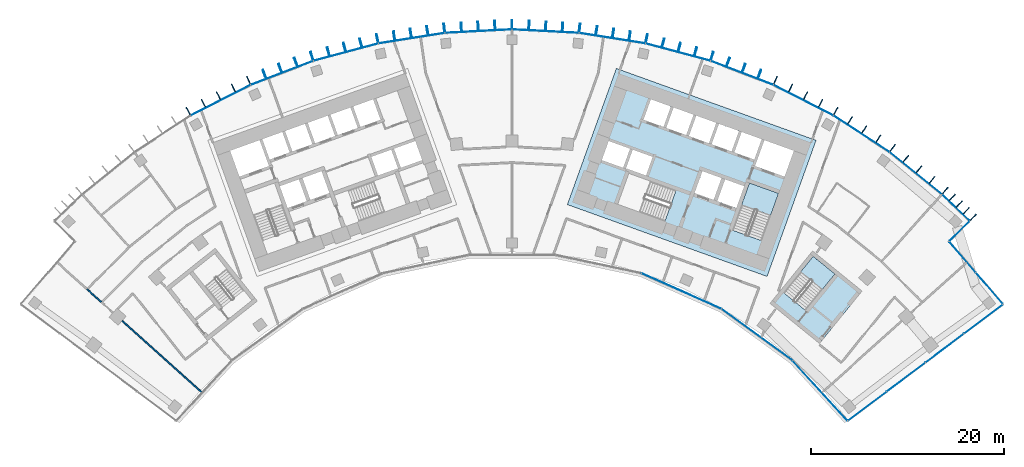
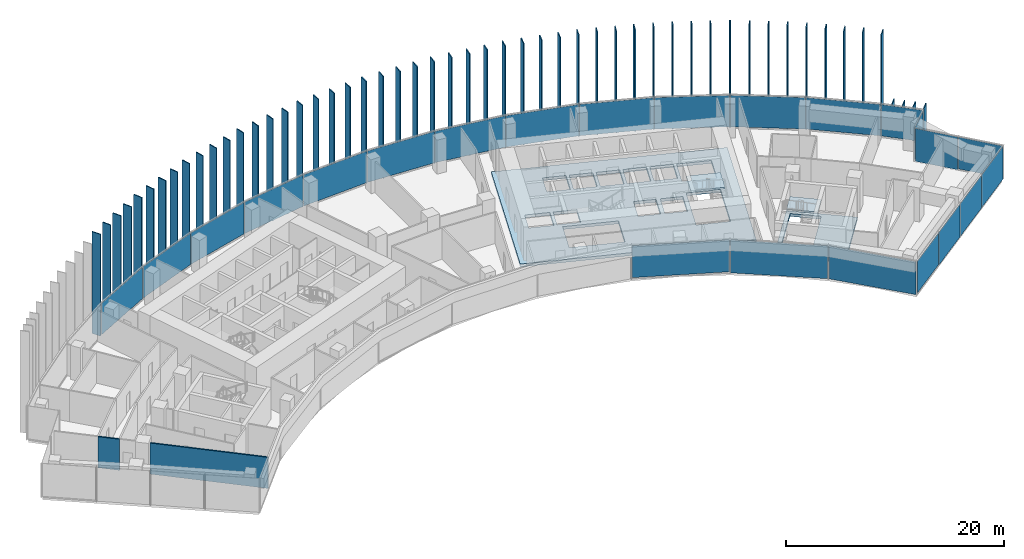
# One storey, part 14 of 22: 76 plates, 4 slabs, 2 walls, 7 elements without a shape of their own.
"""IFC4 building model written with IfcOpenShell, lengths in metres."""

import ifcopenshell
import ifcopenshell.guid

model = None  # the IFC model being written
_history = None  # IfcOwnerHistory: only IFC2X3 demands one
_inside = {}  # id of a spatial element -> (the spatial element, [elements in it])
_under = {}  # id of a project, library or spatial element -> (it, [spatial elements below it])
_declared = {}  # id of a project -> (the project, [libraries it declares])
_typed = {}  # id of a type object -> (the type object, [elements of that type])
_made_of = {}  # id of a material, layer set ... -> (it, [elements and type objects made of it])


def new_model(schema):
    """Start an empty IFC model of exactly this schema.

    Asked for "IFC4X3", IfcOpenShell would pick the latest addendum, in which some entities
    have other attributes; the version numbers below select the first issue.
    IFC2X3 requires an IfcOwnerHistory on every rooted entity: one is made here for all.
    """
    global model, _history
    if schema == "IFC4X3":
        model = ifcopenshell.file(schema_version=(4, 3, 0, 0))
    else:
        model = ifcopenshell.file(schema=schema)
    _inside.clear()
    _under.clear()
    _declared.clear()
    _typed.clear()
    _made_of.clear()
    _history = None
    if model.schema == "IFC2X3":
        org = make("IfcOrganization", Name="unknown")
        user = make(
            "IfcPersonAndOrganization",
            ThePerson=make("IfcPerson", FamilyName="unknown"),
            TheOrganization=org,
        )
        app = make(
            "IfcApplication",
            ApplicationDeveloper=org,
            Version="unknown",
            ApplicationFullName="unknown",
            ApplicationIdentifier="unknown",
        )
        _history = make(
            "IfcOwnerHistory",
            OwningUser=user,
            OwningApplication=app,
            ChangeAction="ADDED",
            CreationDate=0,
        )
    return model


def make(cls, **values):
    """One entity of the class cls with the attributes given. An attribute that is None is left unset."""
    return model.create_entity(
        cls, **{name: value for name, value in values.items() if value is not None}
    )


def rooted(cls, **values):
    """An entity with a GlobalId (a new one), such as an element, a storey or a relation."""
    return make(cls, GlobalId=ifcopenshell.guid.new(), OwnerHistory=_history, **values)


def si_unit(unit_type, name, prefix=None):
    """IfcSIUnit, for example si_unit("LENGTHUNIT", "METRE", prefix="MILLI")."""
    return make("IfcSIUnit", UnitType=unit_type, Prefix=prefix, Name=name)


def assignment(units):
    """IfcUnitAssignment: the units of a project."""
    return None if units is None else make("IfcUnitAssignment", Units=units)


def point(xyz):
    """IfcCartesianPoint."""
    return None if xyz is None else make("IfcCartesianPoint", Coordinates=xyz)


def direction(xyz):
    """IfcDirection."""
    return None if xyz is None else make("IfcDirection", DirectionRatios=xyz)


def frame(location, z_axis=None, x_axis=None):
    """IfcAxis2Placement3D, a coordinate frame: its origin and axes. An axis left out is left unset."""
    return make(
        "IfcAxis2Placement3D",
        Location=point(location),
        Axis=direction(z_axis),
        RefDirection=direction(x_axis),
    )


def frame_2d(location, x_axis=None):
    """IfcAxis2Placement2D, a coordinate frame in the plane: its origin and x axis."""
    return make(
        "IfcAxis2Placement2D", Location=point(location), RefDirection=direction(x_axis)
    )


def origin():
    """The frame at (0, 0, 0) with its axes left unset."""
    return frame((0.0, 0.0, 0.0))


def origin_2d():
    """The frame at (0, 0) in the plane with its x axis left unset."""
    return frame_2d((0.0, 0.0))


def place(relative_to, where):
    """IfcLocalPlacement: puts the frame where relative to a parent placement (None: the world)."""
    return make(
        "IfcLocalPlacement", PlacementRelTo=relative_to, RelativePlacement=where
    )


def context(
    kind, dimensions, precision=None, world=None, true_north=None, identifier=None
):
    """IfcGeometricRepresentationContext, for example the 3D "Model" context."""
    return make(
        "IfcGeometricRepresentationContext",
        ContextIdentifier=identifier,
        ContextType=kind,
        CoordinateSpaceDimension=dimensions,
        Precision=precision,
        WorldCoordinateSystem=world,
        TrueNorth=true_north,
    )


def subcontext(parent, identifier, kind, view, scale=None):
    """IfcGeometricRepresentationSubContext, for example "Body" below "Model"."""
    return make(
        "IfcGeometricRepresentationSubContext",
        ContextIdentifier=identifier,
        ContextType=kind,
        ParentContext=parent,
        TargetScale=scale,
        TargetView=view,
    )


def project(units=None, contexts=None):
    """IfcProject with its units and contexts."""
    return rooted(
        "IfcProject",
        Name="project",
        RepresentationContexts=contexts,
        UnitsInContext=assignment(units),
    )


def spatial(cls, under=None, at=None, **own):
    """A site, building, storey or space (cls), placed at a placement, below another one or the project."""
    s = rooted(cls, ObjectPlacement=at, **own)
    if under is not None:
        _under.setdefault(under.id(), (under, []))[1].append(s)
    return s


def polyline(points):
    """IfcPolyline through the points."""
    return make("IfcPolyline", Points=[point(p) for p in points])


def profile(cls, at=None, kind="AREA", **sizes):
    """A parametric profile (cls). Its sizes go by their IFC names, for example OverallWidth=200.0."""
    return make(cls, ProfileType=kind, Position=at, **sizes)


def rectangle(**sizes):
    """IfcRectangleProfileDef."""
    return profile("IfcRectangleProfileDef", **sizes)


def outline(outer, holes=None, kind="AREA"):
    """IfcArbitraryClosedProfileDef: a profile drawn as a closed curve; with holes, ...WithVoids."""
    if holes is None:
        return make("IfcArbitraryClosedProfileDef", ProfileType=kind, OuterCurve=outer)
    return make(
        "IfcArbitraryProfileDefWithVoids",
        ProfileType=kind,
        OuterCurve=outer,
        InnerCurves=holes,
    )


def extrude(swept, where, along, depth):
    """IfcExtrudedAreaSolid: the profile swept, set in the frame where, extruded along a direction by depth."""
    return make(
        "IfcExtrudedAreaSolid",
        SweptArea=swept,
        Position=where,
        ExtrudedDirection=direction(along),
        Depth=depth,
    )


def shape(context_of_items, identifier, shape_type, items):
    """IfcShapeRepresentation: the items that make up one representation, for example the "Body"."""
    return make(
        "IfcShapeRepresentation",
        ContextOfItems=context_of_items,
        RepresentationIdentifier=identifier,
        RepresentationType=shape_type,
        Items=items,
    )


def material(Name=None, Category=None):
    """IfcMaterial."""
    return make("IfcMaterial", Name=Name, Category=Category)


def layer(
    of_material, thickness, ventilated=None, Name=None, Category=None, Priority=None
):
    """IfcMaterialLayer: one layer of a wall or slab, of a material (None: an air gap)."""
    return make(
        "IfcMaterialLayer",
        Material=of_material,
        LayerThickness=thickness,
        IsVentilated=ventilated,
        Name=Name,
        Category=Category,
        Priority=Priority,
    )


def layer_set(layers, Name=None):
    """IfcMaterialLayerSet."""
    return make("IfcMaterialLayerSet", MaterialLayers=layers, LayerSetName=Name)


def made_of(thing, what):
    """Note that an element or type object is made of a material, layer set ...; save() writes the relation."""
    if what is not None:
        _made_of.setdefault(what.id(), (what, []))[1].append(thing)
    return thing


def type_object(cls, material=None, **own):
    """A type object (cls), such as IfcWallType, which elements share."""
    return made_of(rooted(cls, **own), material)


def element(
    cls,
    number,
    at=None,
    inside=None,
    cuts=None,
    type_object=None,
    material=None,
    context=None,
    identifier="Body",
    shape_type=None,
    held_by="IfcProductDefinitionShape",
    body=None,
    shapes=None,
    **own,
):
    """One element of the class cls, such as IfcWall. Its Tag is "e" and its number.

    at: its placement. inside: the storey or other place that contains it. cuts: it is an
    opening in that element (IfcRelVoidsElement). A single representation is given by context,
    identifier, shape_type and body (its items); several are given by shapes. held_by: the class
    of the entity that holds the representations. save() writes the other relations.
    """
    e = rooted(cls, Tag="e%d" % number, ObjectPlacement=at, **own)
    if body is not None:
        shapes = [shape(context, identifier, shape_type, body)]
    if shapes is not None:
        e.Representation = make(held_by, Representations=shapes)
    if inside is not None:
        _inside.setdefault(inside.id(), (inside, []))[1].append(e)
    if cuts is not None:
        rooted(
            "IfcRelVoidsElement", RelatingBuildingElement=cuts, RelatedOpeningElement=e
        )
    if type_object is not None:
        _typed.setdefault(type_object.id(), (type_object, []))[1].append(e)
    return made_of(e, material)


def aggregate(whole, parts):
    """IfcRelAggregates: a whole, such as a stair, and the parts it consists of."""
    return rooted("IfcRelAggregates", RelatingObject=whole, RelatedObjects=parts)


def save(model, path):
    """Write the relations noted so far, then the file.

    IfcRelAggregates (storeys below a building ...), IfcRelContainedInSpatialStructure (elements
    in a storey), IfcRelDefinesByType, IfcRelAssociatesMaterial and IfcRelDeclares: one each for
    every whole, place, type object, material and project.
    """
    for whole, parts in _under.values():
        aggregate(whole, parts)
    for where, things in _inside.values():
        rooted(
            "IfcRelContainedInSpatialStructure",
            RelatedElements=things,
            RelatingStructure=where,
        )
    for kind, things in _typed.values():
        rooted("IfcRelDefinesByType", RelatedObjects=things, RelatingType=kind)
    for what, things in _made_of.values():
        rooted("IfcRelAssociatesMaterial", RelatedObjects=things, RelatingMaterial=what)
    for by, libraries in _declared.values():
        rooted("IfcRelDeclares", RelatingContext=by, RelatedDefinitions=libraries)
    model.write(path)


model = new_model("IFC4")

# Units and contexts
model_context = context("Model", 3, precision=1e-05, world=origin(), true_north=direction((0.0, 1.0)))
body_context = subcontext(model_context, "Body", "Model", "MODEL_VIEW")
ifc_project = project(units=[si_unit("LENGTHUNIT", "METRE"), si_unit("AREAUNIT", "SQUARE_METRE"), si_unit("VOLUMEUNIT", "CUBIC_METRE"), si_unit("PLANEANGLEUNIT", "RADIAN"), si_unit("MASSUNIT", "GRAM", prefix="KILO")], contexts=[model_context])

# Site, building, storey
site_placement = place(None, origin())
site = spatial("IfcSite", under=ifc_project, at=site_placement, CompositionType="ELEMENT")
building_placement = place(site_placement, origin())
building = spatial("IfcBuilding", under=site, at=building_placement, Name="Stone Belt Terrace Tower", CompositionType="ELEMENT")
storey_placement = place(building_placement, frame((0.0, 0.0, 155.39990234375)))
storey = spatial("IfcBuildingStorey", under=building, at=storey_placement, Name="L37", CompositionType="ELEMENT", Elevation=155.39990234375)

# Curtain wall, plates
ifc_material_1 = material(Name="Aluminium 6063-T6 anodised frame", Category="aluminium")
ifc_layer_1 = layer(ifc_material_1, 0.14990234375)
ifc_layer_set_1 = layer_set([ifc_layer_1], Name="CW-A unitised convex-face curtain wall")
curtain_wall_type_1 = type_object("IfcCurtainWallType", Name="CW-A unitised convex-face curtain wall", PredefinedType="NOTDEFINED", material=ifc_layer_set_1)
curtain_wall_1_placement = place(storey_placement, origin())
curtain_wall_1 = element("IfcCurtainWall", 1, at=curtain_wall_1_placement, inside=storey, type_object=curtain_wall_type_1, Name="CW-A convex face L37", PredefinedType="NOTDEFINED")
ifc_material_2 = material(Name="Clear double glazed unit")
ifc_layer_2 = layer(ifc_material_2, 0.031982421875)
ifc_layer_set_2 = layer_set([ifc_layer_2], Name="CW-A glass panel 32")
plate_type_1 = type_object("IfcPlateType", Name="CW-A glass panel 32", PredefinedType="CURTAIN_PANEL", material=ifc_layer_set_2)
plate_1_placement = place(storey_placement, frame((45.9765625, 48.109619140625, 0.14013671875), z_axis=(0.0, 0.0, 1.0), x_axis=(-0.723120883539, 0.690721497993, 0.0)))
plate_1 = element("IfcPlate", 2, at=plate_1_placement, type_object=plate_type_1, Name="CW-A panel 1.1", PredefinedType="CURTAIN_PANEL", context=body_context, shape_type="SweptSolid", body=[
    extrude(rectangle(XDim=3.888671875, YDim=0.031982421875, at=origin_2d()), origin(), (0.0, 0.0, 1.0), 3.52001953125),
])
plate_2_placement = place(storey_placement, frame((41.839599609375, 51.667724609375, 0.14013671875), z_axis=(0.0, 0.0, 1.0), x_axis=(-0.777145961457, 0.62932039105, 0.0)))
plate_2 = element("IfcPlate", 3, at=plate_2_placement, type_object=plate_type_1, Name="CW-A panel 2.1", PredefinedType="CURTAIN_PANEL", context=body_context, shape_type="SweptSolid", body=[
    extrude(rectangle(XDim=6.900634765625, YDim=0.031982421875, at=origin_2d()), origin(), (0.0, 0.0, 1.0), 3.52001953125),
])
plate_3_placement = place(storey_placement, frame((36.209716796875, 55.758056640625, 0.14013671875), z_axis=(0.0, 0.0, 1.0), x_axis=(-0.838670567945, 0.544639035015, 0.0)))
plate_3 = element("IfcPlate", 4, at=plate_3_placement, type_object=plate_type_1, Name="CW-A panel 3.1", PredefinedType="CURTAIN_PANEL", context=body_context, shape_type="SweptSolid", body=[
    extrude(rectangle(XDim=6.90087890625, YDim=0.031982421875, at=origin_2d()), origin(), (0.0, 0.0, 1.0), 3.52001953125),
])
plate_4_placement = place(storey_placement, frame((30.18310546875, 59.237548828125, 0.14013671875), z_axis=(0.0, 0.0, 1.0), x_axis=(-0.891006524188, 0.45399049974, 0.0)))
plate_4 = element("IfcPlate", 5, at=plate_4_placement, type_object=plate_type_1, Name="CW-A panel 4.1", PredefinedType="CURTAIN_PANEL", context=body_context, shape_type="SweptSolid", body=[
    extrude(rectangle(XDim=6.90087890625, YDim=0.031982421875, at=origin_2d()), origin(), (0.0, 0.0, 1.0), 3.52001953125),
])
plate_5_placement = place(storey_placement, frame((23.82568359375, 62.068115234375, 0.14013671875), z_axis=(0.0, 0.0, 1.0), x_axis=(-0.933580426497, 0.358367949545, 0.0)))
plate_5 = element("IfcPlate", 6, at=plate_5_placement, type_object=plate_type_1, Name="CW-A panel 5.1", PredefinedType="CURTAIN_PANEL", context=body_context, shape_type="SweptSolid", body=[
    extrude(rectangle(XDim=6.90087890625, YDim=0.031982421875, at=origin_2d()), origin(), (0.0, 0.0, 1.0), 3.52001953125),
])
plate_6_placement = place(storey_placement, frame((17.207275390625, 64.218505859375, 0.14013671875), z_axis=(0.0, 0.0, 1.0), x_axis=(-0.965925826289, 0.258819045103, 0.0)))
plate_6 = element("IfcPlate", 7, at=plate_6_placement, type_object=plate_type_1, Name="CW-A panel 6.1", PredefinedType="CURTAIN_PANEL", context=body_context, shape_type="SweptSolid", body=[
    extrude(rectangle(XDim=6.90087890625, YDim=0.031982421875, at=origin_2d()), origin(), (0.0, 0.0, 1.0), 3.52001953125),
])
plate_7_placement = place(storey_placement, frame((10.400390625, 65.665283203125, 0.14013671875), z_axis=(0.0, 0.0, 1.0), x_axis=(-0.987688340595, 0.15643446504, 0.0)))
plate_7 = element("IfcPlate", 8, at=plate_7_placement, type_object=plate_type_1, Name="CW-A panel 7.1", PredefinedType="CURTAIN_PANEL", context=body_context, shape_type="SweptSolid", body=[
    extrude(rectangle(XDim=6.90087890625, YDim=0.031982421875, at=origin_2d()), origin(), (0.0, 0.0, 1.0), 3.52001953125),
])
plate_8_placement = place(storey_placement, frame((3.4794921875, 66.392822265625, 0.14013671875), z_axis=(0.0, 0.0, 1.0), x_axis=(-0.998629534755, 0.052335956243, 0.0)))
plate_8 = element("IfcPlate", 9, at=plate_8_placement, type_object=plate_type_1, Name="CW-A panel 8.1", PredefinedType="CURTAIN_PANEL", context=body_context, shape_type="SweptSolid", body=[
    extrude(rectangle(XDim=6.90087890625, YDim=0.031982421875, at=origin_2d()), origin(), (0.0, 0.0, 1.0), 3.52001953125),
])
plate_9_placement = place(storey_placement, frame((-3.4794921875, 66.392822265625, 0.14013671875), z_axis=(0.0, 0.0, 1.0), x_axis=(-0.998629534755, -0.052335956243, 0.0)))
plate_9 = element("IfcPlate", 10, at=plate_9_placement, type_object=plate_type_1, Name="CW-A panel 9.1", PredefinedType="CURTAIN_PANEL", context=body_context, shape_type="SweptSolid", body=[
    extrude(rectangle(XDim=6.90087890625, YDim=0.031982421875, at=origin_2d()), origin(), (0.0, 0.0, 1.0), 3.52001953125),
])
plate_10_placement = place(storey_placement, frame((-10.400390625, 65.665283203125, 0.14013671875), z_axis=(0.0, 0.0, 1.0), x_axis=(-0.987688340595, -0.15643446504, 0.0)))
plate_10 = element("IfcPlate", 11, at=plate_10_placement, type_object=plate_type_1, Name="CW-A panel 10.1", PredefinedType="CURTAIN_PANEL", context=body_context, shape_type="SweptSolid", body=[
    extrude(rectangle(XDim=6.90087890625, YDim=0.031982421875, at=origin_2d()), origin(), (0.0, 0.0, 1.0), 3.52001953125),
])
plate_11_placement = place(storey_placement, frame((-17.207275390625, 64.218505859375, 0.14013671875), z_axis=(0.0, 0.0, 1.0), x_axis=(-0.965925826289, -0.258819045103, 0.0)))
plate_11 = element("IfcPlate", 12, at=plate_11_placement, type_object=plate_type_1, Name="CW-A panel 11.1", PredefinedType="CURTAIN_PANEL", context=body_context, shape_type="SweptSolid", body=[
    extrude(rectangle(XDim=6.90087890625, YDim=0.031982421875, at=origin_2d()), origin(), (0.0, 0.0, 1.0), 3.52001953125),
])
plate_12_placement = place(storey_placement, frame((-23.82568359375, 62.068115234375, 0.14013671875), z_axis=(0.0, 0.0, 1.0), x_axis=(-0.933580426497, -0.358367949545, 0.0)))
plate_12 = element("IfcPlate", 13, at=plate_12_placement, type_object=plate_type_1, Name="CW-A panel 12.1", PredefinedType="CURTAIN_PANEL", context=body_context, shape_type="SweptSolid", body=[
    extrude(rectangle(XDim=6.90087890625, YDim=0.031982421875, at=origin_2d()), origin(), (0.0, 0.0, 1.0), 3.52001953125),
])
plate_13_placement = place(storey_placement, frame((-30.18310546875, 59.237548828125, 0.14013671875), z_axis=(0.0, 0.0, 1.0), x_axis=(-0.891006524188, -0.45399049974, 0.0)))
plate_13 = element("IfcPlate", 14, at=plate_13_placement, type_object=plate_type_1, Name="CW-A panel 13.1", PredefinedType="CURTAIN_PANEL", context=body_context, shape_type="SweptSolid", body=[
    extrude(rectangle(XDim=6.90087890625, YDim=0.031982421875, at=origin_2d()), origin(), (0.0, 0.0, 1.0), 3.52001953125),
])
aggregate(curtain_wall_1, [plate_1, plate_2, plate_3, plate_4, plate_5, plate_6, plate_7, plate_8, plate_9, plate_10, plate_11, plate_12, plate_13])

ifc_layer_3 = layer(ifc_material_1, 0.14990234375)
ifc_layer_set_3 = layer_set([ifc_layer_3], Name="CW-B unitised concave-face curtain wall")
curtain_wall_type_2 = type_object("IfcCurtainWallType", Name="CW-B unitised concave-face curtain wall", PredefinedType="NOTDEFINED", material=ifc_layer_set_3)
curtain_wall_2_placement = place(storey_placement, origin())
curtain_wall_2 = element("IfcCurtainWall", 15, at=curtain_wall_2_placement, inside=storey, type_object=curtain_wall_type_2, Name="CW-B concave face L37", PredefinedType="NOTDEFINED")
ifc_layer_4 = layer(ifc_material_2, 0.030029296875)
ifc_layer_set_4 = layer_set([ifc_layer_4], Name="CW-B glass panel 30")
plate_type_2 = type_object("IfcPlateType", Name="CW-B glass panel 30", PredefinedType="CURTAIN_PANEL", material=ifc_layer_set_4)
plate_14_placement = place(storey_placement, frame((17.565673828125, 39.453125, 0.1201171875), z_axis=(0.0, 0.0, 1.0), x_axis=(0.913545457643, -0.406736643076, 0.0)))
plate_14 = element("IfcPlate", 16, at=plate_14_placement, type_object=plate_type_2, Name="CW-B panel 7.1", PredefinedType="CURTAIN_PANEL", context=body_context, shape_type="SweptSolid", body=[
    extrude(rectangle(XDim=9.0126953125, YDim=0.030029296875, at=origin_2d()), origin(), (0.0, 0.0, 1.0), 3.56005859375),
])
plate_15_placement = place(storey_placement, frame((25.384765625, 34.938720703125, 0.0), z_axis=(0.0, 0.0, 1.0), x_axis=(0.809016994375, -0.587785252292, 0.0)))
plate_15 = element("IfcPlate", 17, at=plate_15_placement, type_object=plate_type_2, Name="CW-B panel 8.1", PredefinedType="CURTAIN_PANEL", context=body_context, shape_type="SweptSolid", body=[
    extrude(rectangle(XDim=9.013427734375, YDim=0.030029296875, at=origin_2d()), origin(), (0.0, 0.0, 1.0), 3.679931640625),
])
plate_16_placement = place(storey_placement, frame((31.9111328125, 29.148681640625, 0.0), z_axis=(0.0, 0.0, 1.0), x_axis=(0.674760998748, -0.73803630979, 0.0)))
plate_16 = element("IfcPlate", 18, at=plate_16_placement, type_object=plate_type_2, Name="CW-B panel 9.1", PredefinedType="CURTAIN_PANEL", context=body_context, shape_type="SweptSolid", body=[
    extrude(rectangle(XDim=8.39501953125, YDim=0.030029296875, at=origin_2d()), origin(), (0.0, 0.0, 1.0), 3.679931640625),
])
aggregate(curtain_wall_2, [plate_14, plate_15, plate_16])

ifc_layer_5 = layer(ifc_material_1, 0.14990234375)
ifc_layer_set_5 = layer_set([ifc_layer_5], Name="CW-C stick curtain wall, horn ends and notches")
curtain_wall_type_3 = type_object("IfcCurtainWallType", Name="CW-C stick curtain wall, horn ends and notches", PredefinedType="NOTDEFINED", material=ifc_layer_set_5)
curtain_wall_3_placement = place(storey_placement, origin())
curtain_wall_3 = element("IfcCurtainWall", 19, at=curtain_wall_3_placement, inside=storey, type_object=curtain_wall_type_3, Name="CW-C end face L37", PredefinedType="NOTDEFINED")
ifc_layer_6 = layer(ifc_material_2, 0.028076171875)
ifc_layer_set_6 = layer_set([ifc_layer_6], Name="CW-C glass panel 28")
plate_type_3 = type_object("IfcPlateType", Name="CW-C glass panel 28", PredefinedType="CURTAIN_PANEL", material=ifc_layer_set_6)
plate_17_placement = place(storey_placement, frame((36.834228515625, 27.533203125, 0.1201171875), z_axis=(0.0, 0.0, 1.0), x_axis=(0.799986505357, 0.600017992436, 0.0)))
plate_17 = element("IfcPlate", 20, at=plate_17_placement, type_object=plate_type_3, Name="CW-C panel 1.1", PredefinedType="CURTAIN_PANEL", context=body_context, shape_type="SweptSolid", body=[
    extrude(rectangle(XDim=4.96533203125, YDim=0.028076171875, at=origin_2d()), origin(), (0.0, 0.0, 1.0), 3.56005859375),
])
plate_18_placement = place(storey_placement, frame((40.84423828125, 30.541015625, 0.0), z_axis=(0.0, 0.0, 1.0), x_axis=(0.799986505357, 0.600017992436, 0.0)))
plate_18 = element("IfcPlate", 21, at=plate_18_placement, type_object=plate_type_3, Name="CW-C panel 2.1", PredefinedType="CURTAIN_PANEL", context=body_context, shape_type="SweptSolid", body=[
    extrude(rectangle(XDim=4.93994140625, YDim=0.028076171875, at=origin_2d()), origin(), (0.0, 0.0, 1.0), 3.679931640625),
])
plate_19_placement = place(storey_placement, frame((44.84423828125, 33.541015625, 0.0), z_axis=(0.0, 0.0, 1.0), x_axis=(0.799986505357, 0.600017992436, 0.0)))
plate_19 = element("IfcPlate", 22, at=plate_19_placement, type_object=plate_type_3, Name="CW-C panel 3.1", PredefinedType="CURTAIN_PANEL", context=body_context, shape_type="SweptSolid", body=[
    extrude(rectangle(XDim=4.93994140625, YDim=0.028076171875, at=origin_2d()), origin(), (0.0, 0.0, 1.0), 3.679931640625),
])
plate_20_placement = place(storey_placement, frame((48.858154296875, 36.551513671875, 0.0), z_axis=(0.0, 0.0, 1.0), x_axis=(0.799986505357, 0.600017992436, 0.0)))
plate_20 = element("IfcPlate", 23, at=plate_20_placement, type_object=plate_type_3, Name="CW-C panel 4.1", PredefinedType="CURTAIN_PANEL", context=body_context, shape_type="SweptSolid", body=[
    extrude(rectangle(XDim=4.974853515625, YDim=0.028076171875, at=origin_2d()), origin(), (0.0, 0.0, 1.0), 3.679931640625),
])
aggregate(curtain_wall_3, [plate_17, plate_18, plate_19, plate_20])

curtain_wall_4_placement = place(storey_placement, origin())
curtain_wall_4 = element("IfcCurtainWall", 24, at=curtain_wall_4_placement, inside=storey, type_object=curtain_wall_type_3, Name="CW-C notch face L37", PredefinedType="NOTDEFINED")
plate_21_placement = place(storey_placement, frame((49.466064453125, 39.76318359375, 0.1201171875), z_axis=(0.0, 0.0, 1.0), x_axis=(-0.652737860281, 0.757583847343, 0.0)))
plate_21 = element("IfcPlate", 25, at=plate_21_placement, type_object=plate_type_3, Name="CW-C panel 1.1", PredefinedType="CURTAIN_PANEL", context=body_context, shape_type="SweptSolid", body=[
    extrude(rectangle(XDim=4.268798828125, YDim=0.028076171875, at=origin_2d()), origin(), (0.0, 0.0, 1.0), 3.56005859375),
])
plate_22_placement = place(storey_placement, frame((46.68896484375, 42.986572265625, 0.0), z_axis=(0.0, 0.0, 1.0), x_axis=(-0.652737860281, 0.757583847343, 0.0)))
plate_22 = element("IfcPlate", 26, at=plate_22_placement, type_object=plate_type_3, Name="CW-C panel 2.1", PredefinedType="CURTAIN_PANEL", context=body_context, shape_type="SweptSolid", body=[
    extrude(rectangle(XDim=4.12060546875, YDim=0.028076171875, at=origin_2d()), origin(), (0.0, 0.0, 1.0), 3.679931640625),
])
aggregate(curtain_wall_4, [plate_21, plate_22])

# Curtain wall, plate
curtain_wall_5_placement = place(storey_placement, origin())
curtain_wall_5 = element("IfcCurtainWall", 27, at=curtain_wall_5_placement, inside=storey, type_object=curtain_wall_type_3, Name="CW-C notch face L37", PredefinedType="NOTDEFINED")
plate_23_placement = place(storey_placement, frame((46.365966796875, 45.658447265625, 0.1201171875), z_axis=(0.0, 0.0, 1.0), x_axis=(0.711713447851, 0.702469905511, 0.0)))
plate_23 = element("IfcPlate", 28, at=plate_23_placement, type_object=plate_type_3, Name="CW-C panel 1.1", PredefinedType="CURTAIN_PANEL", context=body_context, shape_type="SweptSolid", body=[
    extrude(rectangle(XDim=2.859375, YDim=0.028076171875, at=origin_2d()), origin(), (0.0, 0.0, 1.0), 3.56005859375),
])
aggregate(curtain_wall_5, [plate_23])

# Slabs
ifc_material_3 = material(Name="Concrete B40", Category="concrete")
ifc_layer_7 = layer(ifc_material_3, 0.320068359375)
ifc_layer_set_7 = layer_set([ifc_layer_7], Name="Core floor slab 320")
slab_type_1 = type_object("IfcSlabType", Name="Core floor slab 320", PredefinedType="FLOOR", material=ifc_layer_set_7)
slab_1_placement = place(storey_placement, frame((0.0, 0.0, -0.31982421875)))
element("IfcSlab", 29, at=slab_1_placement, inside=storey, type_object=slab_type_1, Name="Core B floor L37", PredefinedType="FLOOR", context=body_context, shape_type="SweptSolid", body=[
    extrude(outline(polyline([(26.43505859375, 40.968994140625), (31.513916015625, 55.0830078125), (10.81396484375, 62.531982421875), (5.735107421875, 48.4189453125), (26.43505859375, 40.968994140625)]), holes=[polyline([(12.10595703125, 51.652099609375), (16.998046875, 49.89208984375), (15.846923828125, 46.69189453125), (10.955078125, 48.452880859375), (12.10595703125, 51.652099609375)]), polyline([(12.511962890625, 54.110107421875), (14.58203125, 53.364990234375), (13.887939453125, 51.43603515625), (11.864990234375, 52.1640625), (11.847900390625, 52.116943359375), (11.801025390625, 52.134033203125), (12.511962890625, 54.110107421875)]), polyline([(9.30810546875, 53.031005859375), (10.01904296875, 55.007080078125), (12.22998046875, 54.2109375), (11.51904296875, 52.235107421875), (9.30810546875, 53.031005859375)]), polyline([(18.333984375, 55.52197265625), (19.095947265625, 57.638916015625), (21.166015625, 56.89404296875), (20.404052734375, 54.777099609375), (18.333984375, 55.52197265625)]), polyline([(16.743896484375, 58.485107421875), (18.81396484375, 57.739990234375), (18.052001953125, 55.623046875), (15.98193359375, 56.367919921875), (16.743896484375, 58.485107421875)]), polyline([(14.39111328125, 59.33203125), (16.4609375, 58.5869140625), (15.699951171875, 56.469970703125), (13.6298828125, 57.215087890625), (14.39111328125, 59.33203125)]), polyline([(27.618896484375, 49.575927734375), (25.85888671875, 44.68408203125), (22.847900390625, 45.76806640625), (24.60791015625, 50.659912109375), (27.618896484375, 49.575927734375)]), polyline([(23.25, 48.06689453125), (21.27392578125, 48.778076171875), (22.0869140625, 51.035888671875), (24.06298828125, 50.324951171875), (23.25, 48.06689453125)]), polyline([(20.89794921875, 48.9130859375), (18.922119140625, 49.6240234375), (19.735107421875, 51.883056640625), (21.7109375, 51.1708984375), (20.89794921875, 48.9130859375)]), polyline([(26.153076171875, 55.09912109375), (29.2109375, 53.9990234375), (28.24609375, 51.31689453125), (25.18798828125, 52.41796875), (26.153076171875, 55.09912109375)]), polyline([(23.801025390625, 55.946044921875), (25.87109375, 55.200927734375), (25.10888671875, 53.083984375), (23.0390625, 53.8291015625), (23.801025390625, 55.946044921875)]), polyline([(21.447998046875, 56.7919921875), (23.51806640625, 56.047119140625), (22.756103515625, 53.929931640625), (20.68603515625, 54.675048828125), (21.447998046875, 56.7919921875)])]), origin(), (0.0, 0.0, 1.0), 0.31982421875),
])
slab_2_placement = place(storey_placement, frame((0.0, 0.0, -0.31982421875)))
element("IfcSlab", 30, at=slab_2_placement, inside=storey, type_object=slab_type_1, Name="Exit stair ST3B floor L37", PredefinedType="FLOOR", context=body_context, shape_type="SweptSolid", body=[
    extrude(outline(polyline([(26.741943359375, 38.18408203125), (31.866943359375, 34.02392578125), (36.278076171875, 39.458984375), (31.154052734375, 43.618896484375), (26.741943359375, 38.18408203125)]), holes=[polyline([(30.407958984375, 37.462890625), (28.156005859375, 39.291015625), (31.2119140625, 43.055908203125), (33.464111328125, 41.22802734375), (30.407958984375, 37.462890625)])]), origin(), (0.0, 0.0, 1.0), 0.31982421875),
])

# Stair, slab
stair_type = type_object("IfcStairType", Name="Exit stair 1500", PredefinedType="HALF_TURN_STAIR", material=ifc_material_3)
stair_1_placement = place(storey_placement, origin())
stair_1 = element("IfcStair", 31, at=stair_1_placement, inside=storey, type_object=stair_type, Name="L37 Exit stair 1 core B", PredefinedType="HALF_TURN_STAIR")
ifc_layer_8 = layer(ifc_material_3, 0.199951171875)
ifc_layer_set_8 = layer_set([ifc_layer_8], Name="Stair landing 200")
slab_type_2 = type_object("IfcSlabType", Name="Stair landing 200", PredefinedType="LANDING", material=ifc_layer_set_8)
slab_3_placement = place(storey_placement, frame((0.0, 0.0, 1.7001953125)))
slab_3 = element("IfcSlab", 32, at=slab_3_placement, type_object=slab_type_2, Name="ST1B landing 1", PredefinedType="LANDING", context=body_context, shape_type="SweptSolid", body=[
    extrude(outline(polyline([(26.806396484375, 47.3173828125), (27.619384765625, 49.576171875), (24.6083984375, 50.659912109375), (23.79541015625, 48.40087890625), (26.806396484375, 47.3173828125)])), origin(), (0.0, 0.0, 1.0), 0.199951171875),
])
aggregate(stair_1, [slab_3])

stair_2_placement = place(storey_placement, origin())
stair_2 = element("IfcStair", 33, at=stair_2_placement, inside=storey, type_object=stair_type, Name="L37 Exit stair 3B", PredefinedType="HALF_TURN_STAIR")
slab_4_placement = place(storey_placement, frame((0.0, 0.0, 1.7001953125)))
slab_4 = element("IfcSlab", 34, at=slab_4_placement, type_object=slab_type_2, Name="ST3B landing 1", PredefinedType="LANDING", context=body_context, shape_type="SweptSolid", body=[
    extrude(outline(polyline([(32.17138671875, 39.635986328125), (33.4638671875, 41.228271484375), (31.21240234375, 43.055908203125), (29.919921875, 41.463623046875), (32.17138671875, 39.635986328125)])), origin(), (0.0, 0.0, 1.0), 0.199951171875),
])
aggregate(stair_2, [slab_4])

# Plates
ifc_material_4 = material(Name="Terracotta coloured glazed ceramic", Category="masonry")
ifc_layer_9 = layer(ifc_material_4, 0.10009765625)
ifc_layer_set_9 = layer_set([ifc_layer_9], Name="Terracotta fin 100 x 900")
plate_type_4 = type_object("IfcPlateType", Name="Terracotta fin 100 x 900", PredefinedType="SHEET", material=ifc_layer_set_9)
for number, where, z_axis, x_axis, name in (
    (35, (47.79931640625, 47.0947265625, 0.0), (0.0, 0.0, 1.0), (0.690721497993, 0.723120883539, 0.0), "FIN L37 1.1"),
    (36, (47.07666015625, 47.784912109375, 0.0), (0.0, 0.0, 1.0), (0.690721497993, 0.723120883539, 0.0), "FIN L37 1.2"),
    (37, (46.354248046875, 48.474853515625, 0.0), (0.0, 0.0, 1.0), (0.690721497993, 0.723120883539, 0.0), "FIN L37 1.3"),
    (38, (45.6318359375, 49.1650390625, 0.0), (0.0, 0.0, 1.0), (0.690721497993, 0.723120883539, 0.0), "FIN L37 1.4"),
):
    element("IfcPlate", number, at=place(storey_placement, frame(where, z_axis=z_axis, x_axis=x_axis)), inside=storey, type_object=plate_type_4, Name=name, PredefinedType="SHEET", context=body_context, shape_type="SweptSolid", body=[
        extrude(rectangle(XDim=0.89990234375, YDim=0.10009765625, at=origin_2d()), origin(), (0.0, 0.0, 1.0), 3.800048828125),
    ])
for number, where, z_axis, x_axis, name in (
    (39, (44.8935546875, 49.86962890625, 0.000244140625), (0.0, 0.0, 1.0), (0.660573481499, 0.75076139721, 0.0), "FIN L37 2.1"),
    (40, (43.5234375, 50.979736328125, 0.000244140625), (0.0, 0.0, 1.0), (0.62932039105, 0.777145961457, 0.0), "FIN L37 2.2"),
    (41, (42.169677734375, 52.075927734375, 0.000244140625), (0.0, 0.0, 1.0), (0.62932039105, 0.777145961457, 0.0), "FIN L37 2.3"),
    (42, (40.81591796875, 53.172119140625, 0.000244140625), (0.0, 0.0, 1.0), (0.62932039105, 0.777145961457, 0.0), "FIN L37 2.4"),
    (43, (39.4404296875, 54.28515625, 0.000244140625), (0.0, 0.0, 1.0), (0.587785252292, 0.809016994375, 0.0), "FIN L37 3.1"),
    (44, (37.956787109375, 55.24951171875, 0.000244140625), (0.0, 0.0, 1.0), (0.544639035015, 0.838670567945, 0.0), "FIN L37 3.2"),
    (45, (36.49560546875, 56.1982421875, 0.000244140625), (0.0, 0.0, 1.0), (0.544639035015, 0.838670567945, 0.0), "FIN L37 3.3"),
    (46, (35.03466796875, 57.147216796875, 0.000244140625), (0.0, 0.0, 1.0), (0.544639035015, 0.838670567945, 0.0), "FIN L37 3.4"),
    (47, (33.550048828125, 58.1103515625, 0.000244140625), (0.0, 0.0, 1.0), (0.5, 0.866025403784, 0.0), "FIN L37 4.1"),
    (48, (31.9736328125, 58.914306640625, 0.000244140625), (0.0, 0.0, 1.0), (0.45399049974, 0.891006524188, 0.0), "FIN L37 4.2"),
    (49, (30.42138671875, 59.705322265625, 0.000244140625), (0.0, 0.0, 1.0), (0.45399049974, 0.891006524188, 0.0), "FIN L37 4.3"),
    (50, (28.869140625, 60.496337890625, 0.000244140625), (0.0, 0.0, 1.0), (0.45399049974, 0.891006524188, 0.0), "FIN L37 4.4"),
    (51, (27.2919921875, 61.299072265625, 0.000244140625), (0.0, 0.0, 1.0), (0.406736643076, 0.913545457643, 0.0), "FIN L37 5.1"),
    (52, (25.64013671875, 61.933837890625, 0.000244140625), (0.0, 0.0, 1.0), (0.358367949545, 0.933580426497, 0.0), "FIN L37 5.2"),
    (53, (24.013916015625, 62.55810546875, 0.000244140625), (0.0, 0.0, 1.0), (0.358367949545, 0.933580426497, 0.0), "FIN L37 5.3"),
    (54, (22.387451171875, 63.182373046875, 0.000244140625), (0.0, 0.0, 1.0), (0.358367949545, 0.933580426497, 0.0), "FIN L37 5.4"),
    (55, (20.735107421875, 63.81591796875, 0.000244140625), (0.0, 0.0, 1.0), (0.309016994375, 0.951056516295, 0.0), "FIN L37 6.1"),
    (56, (19.02587890625, 64.274658203125, 0.000244140625), (0.0, 0.0, 1.0), (0.258819045103, 0.965925826289, 0.0), "FIN L37 6.2"),
    (57, (17.34326171875, 64.7255859375, 0.000244140625), (0.0, 0.0, 1.0), (0.258819045103, 0.965925826289, 0.0), "FIN L37 6.3"),
    (58, (15.660400390625, 65.176513671875, 0.000244140625), (0.0, 0.0, 1.0), (0.258819045103, 0.965925826289, 0.0), "FIN L37 6.4"),
    (59, (13.950927734375, 65.6337890625, 0.000244140625), (0.0, 0.0, 1.0), (0.207911690818, 0.978147600734, 0.0), "FIN L37 7.1"),
    (60, (12.203125, 65.911376953125, 0.000244140625), (0.0, 0.0, 1.0), (0.15643446504, 0.987688340595, 0.0), "FIN L37 7.2"),
    (61, (10.482421875, 66.183837890625, 0.000244140625), (0.0, 0.0, 1.0), (0.15643446504, 0.987688340595, 0.0), "FIN L37 7.3"),
    (62, (8.76171875, 66.456298828125, 0.000244140625), (0.0, 0.0, 1.0), (0.15643446504, 0.987688340595, 0.0), "FIN L37 7.4"),
    (63, (7.013916015625, 66.732421875, 0.000244140625), (0.0, 0.0, 1.0), (0.104528463268, 0.994521895368, 0.0), "FIN L37 8.1"),
    (64, (5.246826171875, 66.825927734375, 0.000244140625), (0.0, 0.0, 1.0), (0.052335956243, 0.998629534755, 0.0), "FIN L37 8.2"),
    (65, (3.507080078125, 66.9169921875, 0.000244140625), (0.0, 0.0, 1.0), (0.052335956243, 0.998629534755, 0.0), "FIN L37 8.3"),
    (66, (1.767333984375, 67.00830078125, 0.000244140625), (0.0, 0.0, 1.0), (0.052335956243, 0.998629534755, 0.0), "FIN L37 8.4"),
    (67, (0.0, 67.10009765625, 0.000244140625), (0.0, 0.0, 1.0), (0.0, 1.0, 0.0), "FIN L37 9.1"),
    (68, (-1.767333984375, 67.00830078125, 0.000244140625), (0.0, 0.0, 1.0), (-0.052335956243, 0.998629534755, 0.0), "FIN L37 9.2"),
    (69, (-3.507080078125, 66.9169921875, 0.000244140625), (0.0, 0.0, 1.0), (-0.052335956243, 0.998629534755, 0.0), "FIN L37 9.3"),
    (70, (-5.246826171875, 66.825927734375, 0.000244140625), (0.0, 0.0, 1.0), (-0.052335956243, 0.998629534755, 0.0), "FIN L37 9.4"),
    (71, (-7.013916015625, 66.732421875, 0.000244140625), (0.0, 0.0, 1.0), (-0.104528463268, 0.994521895368, 0.0), "FIN L37 10.1"),
    (72, (-8.76171875, 66.456298828125, 0.000244140625), (0.0, 0.0, 1.0), (-0.15643446504, 0.987688340595, 0.0), "FIN L37 10.2"),
    (73, (-10.482421875, 66.183837890625, 0.000244140625), (0.0, 0.0, 1.0), (-0.15643446504, 0.987688340595, 0.0), "FIN L37 10.3"),
    (74, (-12.203125, 65.911376953125, 0.000244140625), (0.0, 0.0, 1.0), (-0.15643446504, 0.987688340595, 0.0), "FIN L37 10.4"),
    (75, (-13.950927734375, 65.6337890625, 0.000244140625), (0.0, 0.0, 1.0), (-0.207911690818, 0.978147600734, 0.0), "FIN L37 11.1"),
    (76, (-15.660400390625, 65.176513671875, 0.000244140625), (0.0, 0.0, 1.0), (-0.258819045103, 0.965925826289, 0.0), "FIN L37 11.2"),
    (77, (-17.34326171875, 64.7255859375, 0.000244140625), (0.0, 0.0, 1.0), (-0.258819045103, 0.965925826289, 0.0), "FIN L37 11.3"),
    (78, (-19.02587890625, 64.274658203125, 0.000244140625), (0.0, 0.0, 1.0), (-0.258819045103, 0.965925826289, 0.0), "FIN L37 11.4"),
    (79, (-20.735107421875, 63.81591796875, 0.000244140625), (0.0, 0.0, 1.0), (-0.309016994375, 0.951056516295, 0.0), "FIN L37 12.1"),
    (80, (-22.387451171875, 63.182373046875, 0.000244140625), (0.0, 0.0, 1.0), (-0.358367949545, 0.933580426497, 0.0), "FIN L37 12.2"),
    (81, (-24.013916015625, 62.55810546875, 0.000244140625), (0.0, 0.0, 1.0), (-0.358367949545, 0.933580426497, 0.0), "FIN L37 12.3"),
    (82, (-25.64013671875, 61.933837890625, 0.000244140625), (0.0, 0.0, 1.0), (-0.358367949545, 0.933580426497, 0.0), "FIN L37 12.4"),
    (83, (-27.2919921875, 61.299072265625, 0.000244140625), (0.0, 0.0, 1.0), (-0.406736643076, 0.913545457643, 0.0), "FIN L37 13.1"),
    (84, (-28.869140625, 60.496337890625, 0.000244140625), (0.0, 0.0, 1.0), (-0.45399049974, 0.891006524188, 0.0), "FIN L37 13.2"),
    (85, (-30.42138671875, 59.705322265625, 0.000244140625), (0.0, 0.0, 1.0), (-0.45399049974, 0.891006524188, 0.0), "FIN L37 13.3"),
    (86, (-31.9736328125, 58.914306640625, 0.000244140625), (0.0, 0.0, 1.0), (-0.45399049974, 0.891006524188, 0.0), "FIN L37 13.4"),
    (87, (-33.550048828125, 58.1103515625, 0.000244140625), (0.0, 0.0, 1.0), (-0.5, 0.866025403784, 0.0), "FIN L37 14.1"),
):
    element("IfcPlate", number, at=place(storey_placement, frame(where, z_axis=z_axis, x_axis=x_axis)), inside=storey, type_object=plate_type_4, Name=name, PredefinedType="SHEET", context=body_context, shape_type="SweptSolid", body=[
        extrude(rectangle(XDim=0.89990234375, YDim=0.10009765625, at=origin_2d()), origin(), (0.0, 0.0, 1.0), 11.39990234375),
    ])

# Walls
ifc_material_5 = material(Name="Gypsum board partition")
ifc_layer_10 = layer(ifc_material_5, 0.14990234375)
ifc_layer_set_10 = layer_set([ifc_layer_10], Name="PARTITION 150 EI 60")
wall_type = type_object("IfcWallType", Name="PARTITION 150 EI 60", PredefinedType="PARTITIONING", material=ifc_layer_set_10)
wall_1_placement = place(storey_placement, frame((-40.385986328125, 36.3642578125, 0.0), z_axis=(0.0, 0.0, 1.0), x_axis=(0.743128216334, -0.669149052221, 0.0)))
element("IfcWall", 88, at=wall_1_placement, inside=storey, type_object=wall_type, Name="L37/wall/i041", PredefinedType="PARTITIONING", context=body_context, shape_type="SweptSolid", body=[
    extrude(rectangle(XDim=11.048828125, YDim=0.14990234375, at=frame_2d((5.5244140625, 0.0))), origin(), (0.0, 0.0, 1.0), 3.47998046875),
])
wall_2_placement = place(storey_placement, frame((-44.032958984375, 39.64892578125, 0.0), z_axis=(0.0, 0.0, 1.0), x_axis=(0.742822489991, -0.669488422875, 0.0)))
element("IfcWall", 89, at=wall_2_placement, inside=storey, type_object=wall_type, Name="L37/wall/i042", PredefinedType="PARTITIONING", context=body_context, shape_type="SweptSolid", body=[
    extrude(rectangle(XDim=2.0341796875, YDim=0.14990234375, at=frame_2d((1.01708984375, 0.0))), origin(), (0.0, 0.0, 1.0), 3.47998046875),
])

save(model, "model.ifc")
